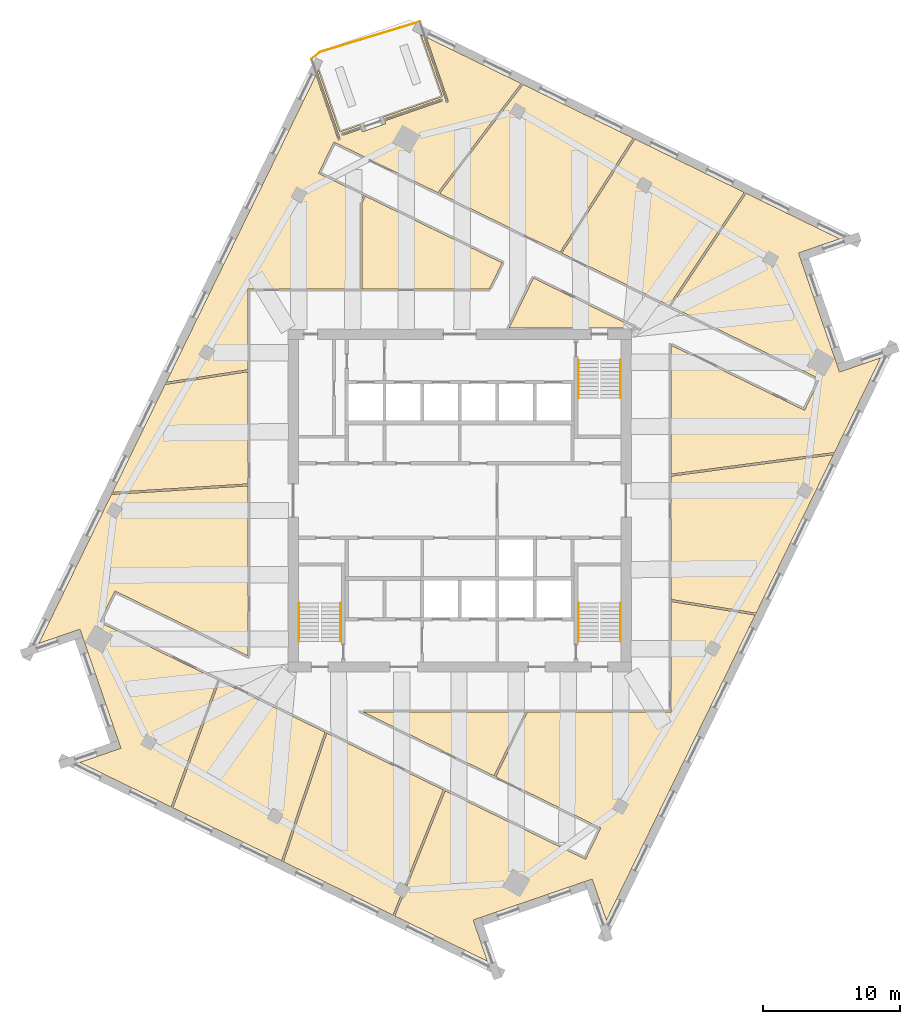
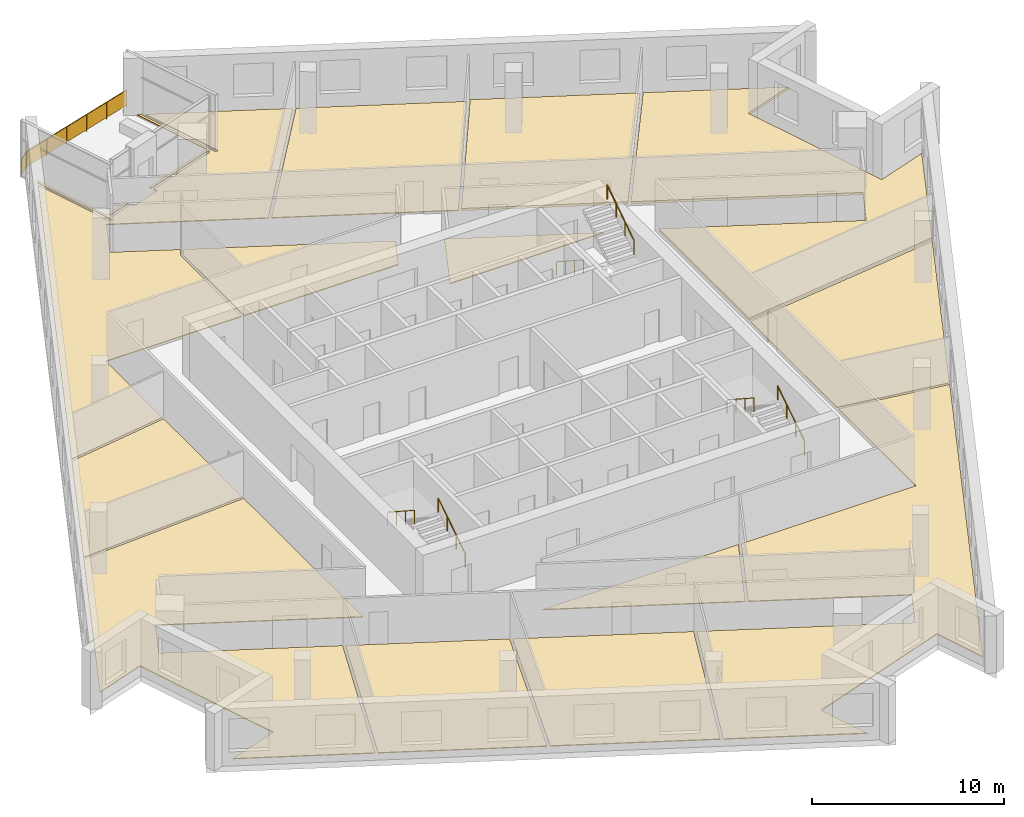
# One storey, part 12 of 13: 13 coverings, 7 railings.
"""IFC4 building model written with IfcOpenShell, lengths in metres."""

from ifc_helpers import new_model, si_unit, direction, frame, origin, origin_2d, place, context, subcontext, project, spatial, polyline, rectangle, circle, outline, extrude, material, layer, layer_set, type_object, element, save


model = new_model("IFC4")

# Units and contexts
model_context = context("Model", 3, precision=1e-05, world=origin(), true_north=direction((0.0, 1.0)))
body_context = subcontext(model_context, "Body", "Model", "MODEL_VIEW")
ifc_project = project(units=[si_unit("LENGTHUNIT", "METRE"), si_unit("AREAUNIT", "SQUARE_METRE"), si_unit("VOLUMEUNIT", "CUBIC_METRE"), si_unit("PLANEANGLEUNIT", "RADIAN"), si_unit("MASSUNIT", "GRAM", prefix="KILO")], contexts=[model_context])

# Site, building, storey
site_placement = place(None, origin())
site = spatial("IfcSite", under=ifc_project, at=site_placement, CompositionType="ELEMENT")
building_placement = place(site_placement, origin())
building = spatial("IfcBuilding", under=site, at=building_placement, Name="Dilmun Exchange Tower", CompositionType="ELEMENT")
storey_placement = place(building_placement, frame((0.0, 0.0, 282.89990234375)))
storey = spatial("IfcBuildingStorey", under=building, at=storey_placement, Name="L67", CompositionType="ELEMENT", Elevation=282.89990234375)

# Coverings
ifc_material_1 = material(Name="Carpet floor finish 50")
ifc_layer_1 = layer(ifc_material_1, 0.050048828125)
ifc_layer_set_1 = layer_set([ifc_layer_1], Name="Carpet floor finish 50")
covering_type_1 = type_object("IfcCoveringType", Name="Carpet floor finish 50", PredefinedType="FLOORING", material=ifc_layer_set_1)
covering_1_placement = place(storey_placement, origin())
element("IfcCovering", 1, at=covering_1_placement, inside=storey, type_object=covering_type_1, Name="Carpet floor finish 50 Regulator office", PredefinedType="FLOORING", context=body_context, shape_type="SweptSolid", body=[
    extrude(outline(polyline([(-15.47509765625, 1.076416015625), (-15.47509765625, -11.362548828125), (-25.224365234375, -6.607421875), (-26.34228515625, -8.8994140625), (-17.70556640625, -13.11181640625), (-21.1181640625, -22.408203125), (-27.798095703125, -19.150390625), (-24.789306640625, -18.1142578125), (-24.7890625, -18.1142578125), (-24.788818359375, -18.114013671875), (-24.788818359375, -18.114013671875), (-24.78857421875, -18.114013671875), (-24.78857421875, -18.11376953125), (-24.788330078125, -18.113525390625), (-24.7880859375, -18.11328125), (-24.7880859375, -18.11328125), (-24.7880859375, -18.113037109375), (-24.7880859375, -18.11279296875), (-24.7880859375, -18.11279296875), (-24.787841796875, -18.112548828125), (-24.787841796875, -18.1123046875), (-24.787841796875, -18.112060546875), (-24.7880859375, -18.11181640625), (-24.7880859375, -18.11181640625), (-24.9833984375, -17.544677734375), (-24.9833984375, -17.544677734375), (-24.9833984375, -17.54443359375), (-27.587646484375, -9.980712890625), (-27.587646484375, -9.980712890625), (-27.587890625, -9.98046875), (-27.587890625, -9.980224609375), (-27.783203125, -9.412841796875), (-27.783203125, -9.41259765625), (-27.783203125, -9.41259765625), (-27.783447265625, -9.412353515625), (-27.78369140625, -9.412109375), (-27.78369140625, -9.412109375), (-27.783935546875, -9.412109375), (-27.783935546875, -9.411865234375), (-27.7841796875, -9.41162109375), (-27.784423828125, -9.41162109375), (-27.78466796875, -9.41162109375), (-27.784912109375, -9.41162109375), (-27.784912109375, -9.41162109375), (-27.78515625, -9.41162109375), (-27.785400390625, -9.41162109375), (-27.785400390625, -9.41162109375), (-27.78564453125, -9.41162109375), (-30.79443359375, -10.44775390625), (-25.48046875, 0.447998046875), (-15.47509765625, 1.076416015625)])), origin(), (0.0, 0.0, 1.0), 0.050048828125),
])
covering_2_placement = place(storey_placement, origin())
element("IfcCovering", 2, at=covering_2_placement, inside=storey, type_object=covering_type_1, Name="Carpet floor finish 50 Meeting room 1", PredefinedType="FLOORING", context=body_context, shape_type="SweptSolid", body=[
    extrude(outline(polyline([(-15.47509765625, 9.432861328125), (-15.47509765625, 1.226806640625), (-25.40478515625, 0.60302734375), (-21.556884765625, 8.4921875), (-15.47509765625, 9.432861328125)])), origin(), (0.0, 0.0, 1.0), 0.050048828125),
])
covering_3_placement = place(storey_placement, origin())
element("IfcCovering", 3, at=covering_3_placement, inside=storey, type_object=covering_type_1, Name="Carpet floor finish 50 Meeting room 2", PredefinedType="FLOORING", context=body_context, shape_type="SweptSolid", body=[
    extrude(outline(polyline([(-17.570068359375, -13.177978515625), (-9.858154296875, -16.939208984375), (-13.024658203125, -26.355712890625), (-20.982666015625, -22.474365234375), (-17.570068359375, -13.177978515625)])), origin(), (0.0, 0.0, 1.0), 0.050048828125),
])
covering_4_placement = place(storey_placement, origin())
element("IfcCovering", 4, at=covering_4_placement, inside=storey, type_object=covering_type_1, Name="Carpet floor finish 50 Garden lounge", PredefinedType="FLOORING", context=body_context, shape_type="SweptSolid", body=[
    extrude(outline(polyline([(-15.47509765625, 9.584716796875), (-21.476806640625, 8.656494140625), (-10.52099609375, 31.119384765625), (-8.888916015625, 26.37939453125), (-8.888916015625, 26.379150390625), (-8.888671875, 26.37890625), (-8.888671875, 26.37890625), (-8.888427734375, 26.378662109375), (-8.88818359375, 26.37841796875), (-8.88818359375, 26.37841796875), (-8.887939453125, 26.37841796875), (-8.8876953125, 26.378173828125), (-8.8876953125, 26.378173828125), (-8.887451171875, 26.3779296875), (-8.88720703125, 26.3779296875), (-8.88720703125, 26.3779296875), (-8.886962890625, 26.3779296875), (-8.88671875, 26.3779296875), (-8.886474609375, 26.3779296875), (-8.88623046875, 26.378173828125), (-8.735107421875, 26.43017578125), (-8.73486328125, 26.43017578125), (-8.734619140625, 26.430419921875), (-8.734619140625, 26.430419921875), (-8.734375, 26.430419921875), (-8.734130859375, 26.4306640625), (-8.734130859375, 26.430908203125), (-8.73388671875, 26.430908203125), (-8.73388671875, 26.43115234375), (-8.73388671875, 26.431396484375), (-8.733642578125, 26.431396484375), (-8.733642578125, 26.431640625), (-8.733642578125, 26.431884765625), (-8.733642578125, 26.43212890625), (-8.733642578125, 26.432373046875), (-8.733642578125, 26.4326171875), (-8.73388671875, 26.4326171875), (-10.419189453125, 31.327880859375), (-10.33056640625, 31.509521484375), (-8.76953125, 26.9755859375), (-7.29248046875, 27.484375), (-7.24609375, 27.34912109375), (-8.652099609375, 26.864990234375), (-8.65234375, 26.864990234375), (-8.652587890625, 26.86474609375), (-8.652587890625, 26.86474609375), (-8.65283203125, 26.864501953125), (-8.65283203125, 26.864501953125), (-8.653076171875, 26.8642578125), (-8.653076171875, 26.864013671875), (-8.6533203125, 26.864013671875), (-8.6533203125, 26.86376953125), (-8.6533203125, 26.863525390625), (-8.6533203125, 26.86328125), (-8.6533203125, 26.86328125), (-8.6533203125, 26.863037109375), (-8.6533203125, 26.86279296875), (-8.6533203125, 26.862548828125), (-8.6533203125, 26.8623046875), (-8.601318359375, 26.711181640625), (-8.601318359375, 26.7109375), (-8.60107421875, 26.710693359375), (-8.60107421875, 26.710693359375), (-8.600830078125, 26.71044921875), (-8.6005859375, 26.710205078125), (-8.6005859375, 26.710205078125), (-8.600341796875, 26.710205078125), (-8.60009765625, 26.7099609375), (-8.60009765625, 26.7099609375), (-8.599853515625, 26.709716796875), (-8.599609375, 26.709716796875), (-8.599609375, 26.709716796875), (-8.599365234375, 26.709716796875), (-8.59912109375, 26.709716796875), (-8.598876953125, 26.709716796875), (-8.5986328125, 26.7099609375), (-7.192626953125, 27.194091796875), (-7.12158203125, 26.98779296875), (-7.12158203125, 26.98779296875), (-7.12158203125, 26.987548828125), (-7.121337890625, 26.9873046875), (-7.12109375, 26.9873046875), (-7.12109375, 26.987060546875), (-7.120849609375, 26.987060546875), (-7.120849609375, 26.98681640625), (-7.12060546875, 26.98681640625), (-7.120361328125, 26.98681640625), (-7.1201171875, 26.986572265625), (-7.1201171875, 26.986572265625), (-7.119873046875, 26.986572265625), (-7.11962890625, 26.986572265625), (-7.119384765625, 26.986572265625), (-7.119384765625, 26.986572265625), (-7.119140625, 26.98681640625), (-5.417236328125, 27.57275390625), (-5.4169921875, 27.57275390625), (-5.416748046875, 27.57275390625), (-5.416748046875, 27.572998046875), (-5.41650390625, 27.572998046875), (-5.41650390625, 27.5732421875), (-5.416259765625, 27.5732421875), (-5.416015625, 27.573486328125), (-5.416015625, 27.57373046875), (-5.416015625, 27.57373046875), (-5.416015625, 27.573974609375), (-5.416015625, 27.57421875), (-5.415771484375, 27.574462890625), (-5.415771484375, 27.57470703125), (-5.415771484375, 27.57470703125), (-5.416015625, 27.574951171875), (-5.416015625, 27.5751953125), (-5.48681640625, 27.78125), (-1.244140625, 29.2421875), (-1.243896484375, 29.2421875), (-1.243896484375, 29.2421875), (-1.24365234375, 29.242431640625), (-1.243408203125, 29.24267578125), (-1.243408203125, 29.24267578125), (-1.243408203125, 29.242919921875), (-1.2431640625, 29.242919921875), (-1.2431640625, 29.2431640625), (-1.242919921875, 29.243408203125), (-1.242919921875, 29.243408203125), (-1.242919921875, 29.24365234375), (-1.242919921875, 29.243896484375), (-1.242919921875, 29.244140625), (-1.242919921875, 29.244384765625), (-1.242919921875, 29.244384765625), (-1.242919921875, 29.24462890625), (-1.295166015625, 29.39599609375), (-1.295166015625, 29.396240234375), (-1.295166015625, 29.396240234375), (-1.29541015625, 29.396484375), (-1.29541015625, 29.396728515625), (-1.295654296875, 29.396728515625), (-1.295654296875, 29.39697265625), (-1.2958984375, 29.39697265625), (-1.296142578125, 29.397216796875), (-1.296142578125, 29.397216796875), (-1.29638671875, 29.397216796875), (-1.296630859375, 29.397216796875), (-1.296875, 29.397216796875), (-1.297119140625, 29.397216796875), (-1.297119140625, 29.397216796875), (-1.29736328125, 29.397216796875), (-1.297607421875, 29.397216796875), (-5.540283203125, 27.936279296875), (-5.5869140625, 28.071533203125), (-1.273193359375, 29.556884765625), (-2.83447265625, 34.0908203125), (-2.652587890625, 34.002197265625), (-0.967041015625, 29.10693359375), (-0.967041015625, 29.106689453125), (-0.967041015625, 29.106689453125), (-0.966796875, 29.1064453125), (-0.966796875, 29.106201171875), (-0.966552734375, 29.106201171875), (-0.966552734375, 29.106201171875), (-0.96630859375, 29.10595703125), (-0.966064453125, 29.10595703125), (-0.9658203125, 29.105712890625), (-0.9658203125, 29.105712890625), (-0.965576171875, 29.105712890625), (-0.96533203125, 29.105712890625), (-0.965087890625, 29.105712890625), (-0.965087890625, 29.105712890625), (-0.96484375, 29.105712890625), (-0.964599609375, 29.105712890625), (-0.813232421875, 29.157958984375), (-0.81298828125, 29.157958984375), (-0.81298828125, 29.157958984375), (-0.812744140625, 29.158203125), (-0.8125, 29.158203125), (-0.8125, 29.158447265625), (-0.8125, 29.158447265625), (-0.812255859375, 29.15869140625), (-0.812255859375, 29.158935546875), (-0.81201171875, 29.158935546875), (-0.81201171875, 29.1591796875), (-0.81201171875, 29.159423828125), (-0.81201171875, 29.15966796875), (-0.81201171875, 29.159912109375), (-0.81201171875, 29.159912109375), (-0.81201171875, 29.16015625), (-0.81201171875, 29.160400390625), (-2.444091796875, 33.900390625), (4.496826171875, 30.514892578125), (-1.604248046875, 22.52978515625), (-9.205078125, 26.23681640625), (-10.322998046875, 23.945068359375), (-7.03076171875, 22.33935546875), (-7.28466796875, 21.818603515625), (-7.28466796875, 15.47509765625), (-15.47509765625, 15.47509765625), (-15.47509765625, 9.584716796875)])), origin(), (0.0, 0.0, 1.0), 0.050048828125),
])
covering_5_placement = place(storey_placement, origin())
element("IfcCovering", 5, at=covering_5_placement, inside=storey, type_object=covering_type_1, Name="Carpet floor finish 50 Training room 1", PredefinedType="FLOORING", context=body_context, shape_type="SweptSolid", body=[
    extrude(outline(polyline([(-9.72216796875, -17.005615234375), (-1.2001953125, -21.162109375), (-4.884521484375, -30.325927734375), (-12.888671875, -26.422119140625), (-9.72216796875, -17.005615234375)])), origin(), (0.0, 0.0, 1.0), 0.050048828125),
])
covering_6_placement = place(storey_placement, origin())
element("IfcCovering", 6, at=covering_6_placement, inside=storey, type_object=covering_type_1, Name="Carpet floor finish 50 Meeting room 3", PredefinedType="FLOORING", context=body_context, shape_type="SweptSolid", body=[
    extrude(outline(polyline([(-7.134521484375, 15.47509765625), (-7.134521484375, 21.7841796875), (-6.89599609375, 22.2734375), (3.10107421875, 17.397705078125), (2.163330078125, 15.47509765625), (-7.134521484375, 15.47509765625)])), origin(), (0.0, 0.0, 1.0), 0.050048828125),
])
covering_7_placement = place(storey_placement, origin())
element("IfcCovering", 7, at=covering_7_placement, inside=storey, type_object=covering_type_1, Name="Carpet floor finish 50 Meeting room 4", PredefinedType="FLOORING", context=body_context, shape_type="SweptSolid", body=[
    extrude(outline(polyline([(4.77734375, -15.47509765625), (2.505859375, -20.13232421875), (-7.043212890625, -15.47509765625), (4.77734375, -15.47509765625)])), origin(), (0.0, 0.0, 1.0), 0.050048828125),
])
covering_8_placement = place(storey_placement, origin())
element("IfcCovering", 8, at=covering_8_placement, inside=storey, type_object=covering_type_1, Name="Carpet floor finish 50 Research library", PredefinedType="FLOORING", context=body_context, shape_type="SweptSolid", body=[
    extrude(outline(polyline([(-1.06494140625, -21.227783203125), (9.205078125, -26.23681640625), (10.322998046875, -23.945068359375), (2.640625, -20.197998046875), (4.944091796875, -15.47509765625), (15.47509765625, -15.47509765625), (15.47509765625, -7.385009765625), (21.615234375, -8.372802734375), (10.72607421875, -30.69873046875), (9.690185546875, -27.68994140625), (9.690185546875, -27.689697265625), (9.68994140625, -27.689453125), (9.68994140625, -27.689453125), (9.689697265625, -27.689208984375), (9.689697265625, -27.689208984375), (9.689453125, -27.68896484375), (9.689208984375, -27.688720703125), (9.689208984375, -27.688720703125), (9.68896484375, -27.688720703125), (9.688720703125, -27.688720703125), (9.688720703125, -27.688720703125), (9.6884765625, -27.6884765625), (9.688232421875, -27.6884765625), (9.68798828125, -27.688720703125), (9.687744140625, -27.688720703125), (9.6875, -27.688720703125), (9.12060546875, -27.8837890625), (9.12060546875, -27.8837890625), (9.120361328125, -27.884033203125), (1.55615234375, -30.488525390625), (0.98876953125, -30.683837890625), (0.988525390625, -30.68408203125), (0.98828125, -30.68408203125), (0.98828125, -30.68408203125), (0.988037109375, -30.684326171875), (0.988037109375, -30.684326171875), (0.98779296875, -30.6845703125), (0.98779296875, -30.684814453125), (0.987548828125, -30.684814453125), (0.987548828125, -30.68505859375), (0.987548828125, -30.685302734375), (0.987548828125, -30.685546875), (0.9873046875, -30.685546875), (0.9873046875, -30.685791015625), (0.987548828125, -30.68603515625), (0.987548828125, -30.686279296875), (0.987548828125, -30.686279296875), (2.023681640625, -33.6953125), (-4.74951171875, -30.391845703125), (-1.06494140625, -21.227783203125)])), origin(), (0.0, 0.0, 1.0), 0.050048828125),
])
covering_9_placement = place(storey_placement, origin())
element("IfcCovering", 9, at=covering_9_placement, inside=storey, type_object=covering_type_1, Name="Carpet floor finish 50 Training room 2", PredefinedType="FLOORING", context=body_context, shape_type="SweptSolid", body=[
    extrude(outline(polyline([(15.47509765625, -7.233154296875), (15.47509765625, 1.790771484375), (27.33740234375, 3.359375), (21.683837890625, -8.23193359375), (15.47509765625, -7.233154296875)])), origin(), (0.0, 0.0, 1.0), 0.050048828125),
])
ifc_material_2 = material(Name="Raised access floor 150")
ifc_layer_2 = layer(ifc_material_2, 0.14990234375)
ifc_layer_set_2 = layer_set([ifc_layer_2], Name="Raised access floor 150")
covering_type_2 = type_object("IfcCoveringType", Name="Raised access floor 150", PredefinedType="FLOORING", material=ifc_layer_set_2)
covering_10_placement = place(storey_placement, origin())
element("IfcCovering", 10, at=covering_10_placement, inside=storey, type_object=covering_type_2, Name="Raised access floor 150 Analytics room 1", PredefinedType="FLOORING", context=body_context, shape_type="SweptSolid", body=[
    extrude(outline(polyline([(15.3076171875, 14.28125), (7.47216796875, 18.102783203125), (12.822509765625, 26.454345703125), (20.820556640625, 22.553466796875), (15.3076171875, 14.28125)])), origin(), (0.0, 0.0, 1.0), 0.150146484375),
])
covering_11_placement = place(storey_placement, origin())
element("IfcCovering", 11, at=covering_11_placement, inside=storey, type_object=covering_type_2, Name="Raised access floor 150 Analytics room 2", PredefinedType="FLOORING", context=body_context, shape_type="SweptSolid", body=[
    extrude(outline(polyline([(26.34228515625, 8.8994140625), (15.44384765625, 14.21484375), (20.95654296875, 22.487060546875), (27.798095703125, 19.150390625), (24.789306640625, 18.1142578125), (24.7890625, 18.1142578125), (24.788818359375, 18.114013671875), (24.788818359375, 18.114013671875), (24.78857421875, 18.114013671875), (24.78857421875, 18.11376953125), (24.788330078125, 18.113525390625), (24.7880859375, 18.11328125), (24.7880859375, 18.11328125), (24.7880859375, 18.113037109375), (24.7880859375, 18.11279296875), (24.7880859375, 18.11279296875), (24.787841796875, 18.112548828125), (24.787841796875, 18.1123046875), (24.787841796875, 18.112060546875), (24.7880859375, 18.11181640625), (24.7880859375, 18.11181640625), (24.9833984375, 17.544677734375), (24.9833984375, 17.544677734375), (24.9833984375, 17.54443359375), (27.587646484375, 9.980712890625), (27.587646484375, 9.980712890625), (27.587890625, 9.98046875), (27.587890625, 9.980224609375), (27.783203125, 9.412841796875), (27.783203125, 9.41259765625), (27.783203125, 9.41259765625), (27.783447265625, 9.412353515625), (27.78369140625, 9.412109375), (27.78369140625, 9.412109375), (27.783935546875, 9.412109375), (27.783935546875, 9.411865234375), (27.7841796875, 9.41162109375), (27.784423828125, 9.41162109375), (27.78466796875, 9.41162109375), (27.784912109375, 9.41162109375), (27.784912109375, 9.41162109375), (27.78515625, 9.41162109375), (27.785400390625, 9.41162109375), (27.785400390625, 9.41162109375), (27.78564453125, 9.41162109375), (30.79443359375, 10.44775390625), (27.416259765625, 3.52099609375), (15.47509765625, 1.942138671875), (15.47509765625, 11.362548828125), (25.224365234375, 6.607421875), (26.34228515625, 8.8994140625)])), origin(), (0.0, 0.0, 1.0), 0.150146484375),
])

# Railings
ifc_material_3 = material(Name="Stainless steel", Category="steel")
railing_type_1 = type_object("IfcRailingType", Name="Stair handrail 900", PredefinedType="HANDRAIL", material=ifc_material_3)
railing_1_placement = place(storey_placement, frame((8.699951171875, 10.300048828125, 0.181884765625)))
element("IfcRailing", 12, at=railing_1_placement, inside=storey, type_object=railing_type_1, Name="L67 ST1 stair handrail 1", PredefinedType="HANDRAIL", context=body_context, shape_type="SweptSolid", body=[
    extrude(circle(Radius=0.02392578125, at=origin_2d()), frame((0.0, 0.0, 0.8759765625), z_axis=(0.0, -0.838705829183, 0.544584733623), x_axis=(1.0, 0.0, 0.0)), (0.0, 0.0, 1.0), 3.338623046875),
    extrude(circle(Radius=0.02099609375, at=origin_2d()), origin(), (0.0, 0.0, 1.0), 0.851806640625),
    extrude(circle(Radius=0.02099609375, at=origin_2d()), frame((0.0, -0.933349609375, 0.60595703125)), (0.0, 0.0, 1.0), 0.851806640625),
    extrude(circle(Radius=0.02099609375, at=origin_2d()), frame((0.0, -1.86669921875, 1.212158203125)), (0.0, 0.0, 1.0), 0.851806640625),
    extrude(circle(Radius=0.02099609375, at=origin_2d()), frame((0.0, -2.800048828125, 1.818115234375)), (0.0, 0.0, 1.0), 0.851806640625),
])
for number, where, name in (
    (13, (11.75, 7.5, 2.181884765625), "L67 ST1 stair handrail 2"),
    (14, (-8.699951171875, -10.300048828125, 0.181884765625), "L67 ST2 stair handrail 1"),
):
    element("IfcRailing", number, at=place(storey_placement, frame(where)), inside=storey, type_object=railing_type_1, Name=name, PredefinedType="HANDRAIL", context=body_context, shape_type="SweptSolid", body=[
        extrude(circle(Radius=0.02392578125, at=origin_2d()), frame((0.0, 0.0, 0.8759765625), z_axis=(0.0, 0.838705829183, 0.544584733623), x_axis=(-1.0, 0.0, 0.0)), (0.0, 0.0, 1.0), 3.338623046875),
        extrude(circle(Radius=0.02099609375, at=origin_2d()), origin(), (0.0, 0.0, 1.0), 0.851806640625),
        extrude(circle(Radius=0.02099609375, at=origin_2d()), frame((0.0, 0.933349609375, 0.60595703125)), (0.0, 0.0, 1.0), 0.851806640625),
        extrude(circle(Radius=0.02099609375, at=origin_2d()), frame((0.0, 1.86669921875, 1.212158203125)), (0.0, 0.0, 1.0), 0.851806640625),
        extrude(circle(Radius=0.02099609375, at=origin_2d()), frame((0.0, 2.800048828125, 1.818115234375)), (0.0, 0.0, 1.0), 0.851806640625),
    ])
railing_2_placement = place(storey_placement, frame((-11.75, -7.5, 2.181884765625)))
element("IfcRailing", 15, at=railing_2_placement, inside=storey, type_object=railing_type_1, Name="L67 ST2 stair handrail 2", PredefinedType="HANDRAIL", context=body_context, shape_type="SweptSolid", body=[
    extrude(circle(Radius=0.02392578125, at=origin_2d()), frame((0.0, 0.0, 0.8759765625), z_axis=(0.0, -0.838705829183, 0.544584733623), x_axis=(1.0, 0.0, 0.0)), (0.0, 0.0, 1.0), 3.338623046875),
    extrude(circle(Radius=0.02099609375, at=origin_2d()), origin(), (0.0, 0.0, 1.0), 0.851806640625),
    extrude(circle(Radius=0.02099609375, at=origin_2d()), frame((0.0, -0.933349609375, 0.60595703125)), (0.0, 0.0, 1.0), 0.851806640625),
    extrude(circle(Radius=0.02099609375, at=origin_2d()), frame((0.0, -1.86669921875, 1.212158203125)), (0.0, 0.0, 1.0), 0.851806640625),
    extrude(circle(Radius=0.02099609375, at=origin_2d()), frame((0.0, -2.800048828125, 1.818115234375)), (0.0, 0.0, 1.0), 0.851806640625),
])
railing_3_placement = place(storey_placement, frame((11.75, -10.300048828125, 0.181884765625)))
element("IfcRailing", 16, at=railing_3_placement, inside=storey, type_object=railing_type_1, Name="L67 ST3 stair handrail 1", PredefinedType="HANDRAIL", context=body_context, shape_type="SweptSolid", body=[
    extrude(circle(Radius=0.02392578125, at=origin_2d()), frame((0.0, 0.0, 0.8759765625), z_axis=(0.0, 0.838705829183, 0.544584733623), x_axis=(-1.0, 0.0, 0.0)), (0.0, 0.0, 1.0), 3.338623046875),
    extrude(circle(Radius=0.02099609375, at=origin_2d()), origin(), (0.0, 0.0, 1.0), 0.851806640625),
    extrude(circle(Radius=0.02099609375, at=origin_2d()), frame((0.0, 0.933349609375, 0.60595703125)), (0.0, 0.0, 1.0), 0.851806640625),
    extrude(circle(Radius=0.02099609375, at=origin_2d()), frame((0.0, 1.86669921875, 1.212158203125)), (0.0, 0.0, 1.0), 0.851806640625),
    extrude(circle(Radius=0.02099609375, at=origin_2d()), frame((0.0, 2.800048828125, 1.818115234375)), (0.0, 0.0, 1.0), 0.851806640625),
])
railing_4_placement = place(storey_placement, frame((8.699951171875, -7.5, 2.181884765625)))
element("IfcRailing", 17, at=railing_4_placement, inside=storey, type_object=railing_type_1, Name="L67 ST3 stair handrail 2", PredefinedType="HANDRAIL", context=body_context, shape_type="SweptSolid", body=[
    extrude(circle(Radius=0.02392578125, at=origin_2d()), frame((0.0, 0.0, 0.8759765625), z_axis=(0.0, -0.838705829183, 0.544584733623), x_axis=(1.0, 0.0, 0.0)), (0.0, 0.0, 1.0), 3.338623046875),
    extrude(circle(Radius=0.02099609375, at=origin_2d()), origin(), (0.0, 0.0, 1.0), 0.851806640625),
    extrude(circle(Radius=0.02099609375, at=origin_2d()), frame((0.0, -0.933349609375, 0.60595703125)), (0.0, 0.0, 1.0), 0.851806640625),
    extrude(circle(Radius=0.02099609375, at=origin_2d()), frame((0.0, -1.86669921875, 1.212158203125)), (0.0, 0.0, 1.0), 0.851806640625),
    extrude(circle(Radius=0.02099609375, at=origin_2d()), frame((0.0, -2.800048828125, 1.818115234375)), (0.0, 0.0, 1.0), 0.851806640625),
])

# Covering
ifc_material_4 = material(Name="Stone floor finish 50", Category="masonry")
ifc_layer_3 = layer(ifc_material_4, 0.050048828125)
ifc_layer_set_3 = layer_set([ifc_layer_3], Name="Stone floor finish 50")
covering_type_3 = type_object("IfcCoveringType", Name="Stone floor finish 50", PredefinedType="FLOORING", material=ifc_layer_set_3)
covering_12_placement = place(storey_placement, origin())
element("IfcCovering", 18, at=covering_12_placement, inside=storey, type_object=covering_type_3, Name="Stone floor finish 50 Reception", PredefinedType="FLOORING", context=body_context, shape_type="SweptSolid", body=[
    extrude(outline(polyline([(7.33642578125, 18.169189453125), (-1.466796875, 22.462646484375), (4.63427734375, 30.447998046875), (12.686767578125, 26.5205078125), (7.33642578125, 18.169189453125)])), origin(), (0.0, 0.0, 1.0), 0.050048828125),
])

# Railing
railing_type_2 = type_object("IfcRailingType", Name="Terrace guard 1100 stainless steel", PredefinedType="GUARDRAIL", material=ifc_material_3)
railing_5_placement = place(storey_placement, frame((-10.844970703125, 32.312255859375, 0.0)))
element("IfcRailing", 19, at=railing_5_placement, inside=storey, type_object=railing_type_2, Name="Terrace guard 1", PredefinedType="GUARDRAIL", context=body_context, shape_type="SweptSolid", body=[
    extrude(circle(Radius=0.02392578125, at=origin_2d()), frame((0.0, 0.0, 1.076171875), z_axis=(0.773710716646, 0.633539049268, 0.0), x_axis=(-0.633539049268, 0.773710716646, 0.0)), (0.0, 0.0, 1.0), 0.794189453125),
    extrude(rectangle(XDim=0.011962890625, YDim=0.951904296875, at=origin_2d()), frame((0.0, 0.0, 0.576171875), z_axis=(0.773710716646, 0.633539049268, 0.0), x_axis=(-0.633539049268, 0.773710716646, 0.0)), (0.0, 0.0, 1.0), 0.794189453125),
    extrude(circle(Radius=0.02392578125, at=origin_2d()), frame((0.614501953125, 0.503173828125, 1.076171875), z_axis=(0.956657233693, 0.291216306588, 0.0), x_axis=(-0.291216306588, 0.956657233693, 0.0)), (0.0, 0.0, 1.0), 7.63818359375),
    extrude(rectangle(XDim=0.011962890625, YDim=0.951904296875, at=origin_2d()), frame((0.614501953125, 0.503173828125, 0.576171875), z_axis=(0.956657233693, 0.291216306588, 0.0), x_axis=(-0.291216306588, 0.956657233693, 0.0)), (0.0, 0.0, 1.0), 7.63818359375),
    extrude(circle(Radius=0.02099609375, at=origin_2d()), origin(), (0.0, 0.0, 1.0), 1.052001953125),
    extrude(circle(Radius=0.02099609375, at=origin_2d()), frame((0.614501953125, 0.503173828125, 0.0)), (0.0, 0.0, 1.0), 1.052001953125),
    extrude(circle(Radius=0.02099609375, at=origin_2d()), frame((2.075927734375, 0.947998046875, 0.0)), (0.0, 0.0, 1.0), 1.052001953125),
    extrude(circle(Radius=0.02099609375, at=origin_2d()), frame((3.537353515625, 1.392822265625, 0.0)), (0.0, 0.0, 1.0), 1.052001953125),
    extrude(circle(Radius=0.02099609375, at=origin_2d()), frame((4.998779296875, 1.837890625, 0.0)), (0.0, 0.0, 1.0), 1.052001953125),
    extrude(circle(Radius=0.02099609375, at=origin_2d()), frame((6.460205078125, 2.28271484375, 0.0)), (0.0, 0.0, 1.0), 1.052001953125),
    extrude(circle(Radius=0.02099609375, at=origin_2d()), frame((7.921630859375, 2.7275390625, 0.0)), (0.0, 0.0, 1.0), 1.052001953125),
])

# Covering
ifc_material_5 = material(Name="Tile floor finish 50")
ifc_layer_4 = layer(ifc_material_5, 0.050048828125)
ifc_layer_set_4 = layer_set([ifc_layer_4], Name="Tile floor finish 50")
covering_type_4 = type_object("IfcCoveringType", Name="Tile floor finish 50", PredefinedType="FLOORING", material=ifc_layer_set_4)
covering_13_placement = place(storey_placement, origin())
element("IfcCovering", 20, at=covering_13_placement, inside=storey, type_object=covering_type_4, Name="Tile floor finish 50 Pantry", PredefinedType="FLOORING", context=body_context, shape_type="SweptSolid", body=[
    extrude(outline(polyline([(3.610595703125, 12.625), (5.39306640625, 16.27978515625), (12.88671875, 12.625), (3.610595703125, 12.625)])), origin(), (0.0, 0.0, 1.0), 0.050048828125),
])

save(model, "model.ifc")
